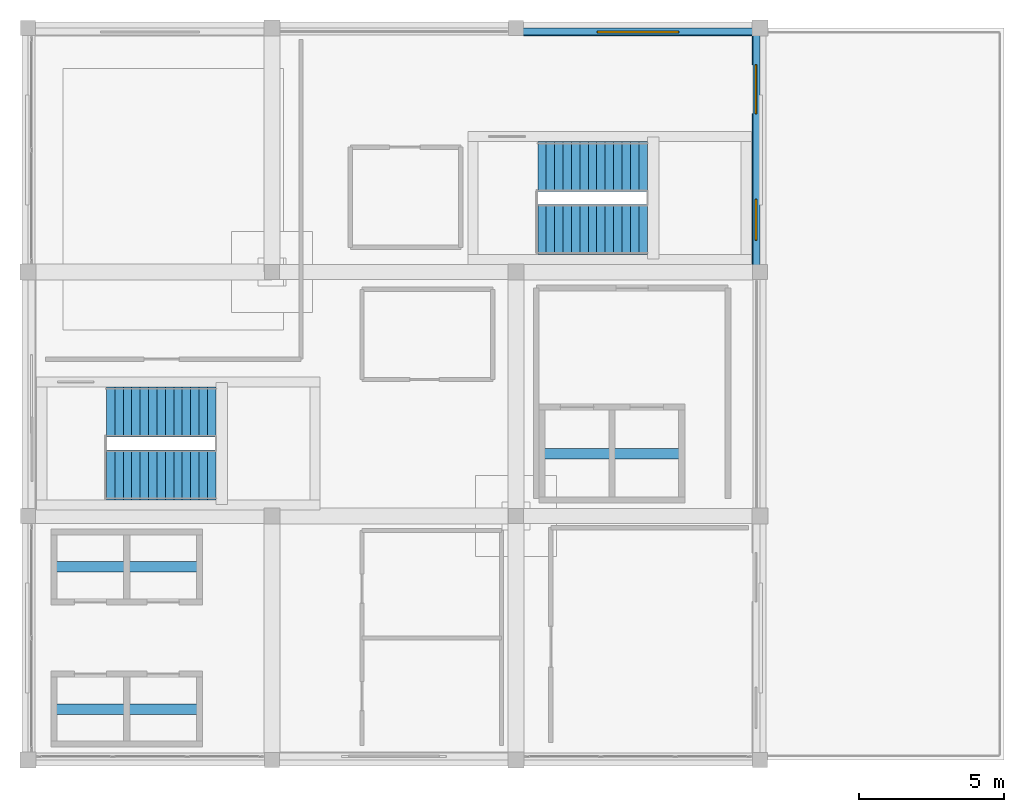
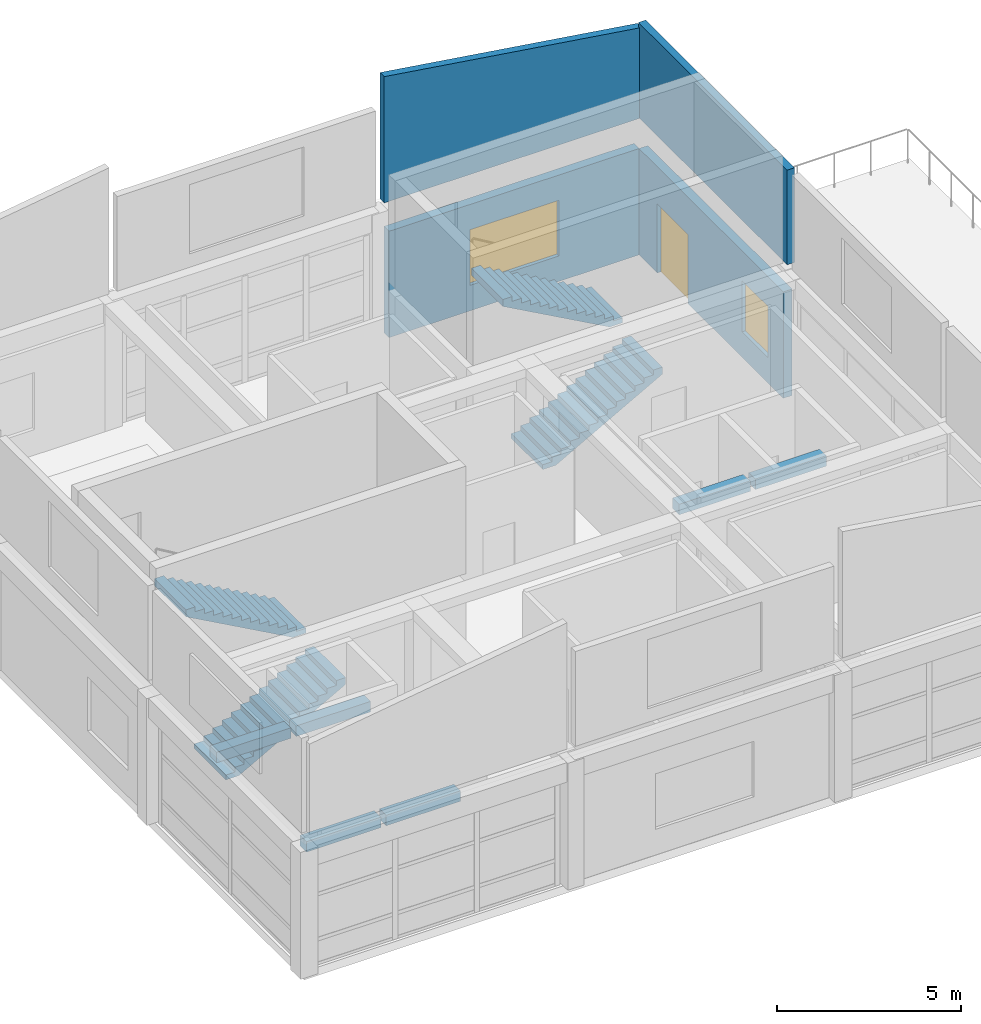
# One storey, part 16 of 17: 6 discrete accessories, 4 stair flights, 4 walls, 2 windows, 1 door, 3 openings, 2 elements without a shape of their own.
"""IFC4 building model written with IfcOpenShell, lengths in metres."""

from ifc_helpers import new_model, si_unit, direction, frame, frame_2d, origin, origin_2d, place, context, subcontext, project, spatial, polyline, rectangle, outline, extrude, material, layer, layer_set, type_object, element, fill, aggregate, save


model = new_model("IFC4")

# Units and contexts
model_context = context("Model", 3, precision=1e-05, world=origin(), true_north=direction((0.0, 1.0)))
body_context = subcontext(model_context, "Body", "Model", "MODEL_VIEW")
ifc_project = project(units=[si_unit("LENGTHUNIT", "METRE"), si_unit("AREAUNIT", "SQUARE_METRE"), si_unit("VOLUMEUNIT", "CUBIC_METRE"), si_unit("PLANEANGLEUNIT", "RADIAN"), si_unit("MASSUNIT", "GRAM", prefix="KILO")], contexts=[model_context])

# Site, building, storey
site_placement = place(None, origin())
site = spatial("IfcSite", under=ifc_project, at=site_placement, CompositionType="ELEMENT")
building_placement = place(site_placement, origin())
building = spatial("IfcBuilding", under=site, at=building_placement, Name="Almacenes y Pasaje Nevantli", CompositionType="ELEMENT")
storey_placement = place(building_placement, frame((0.0, 0.0, 66.699951171875)))
storey = spatial("IfcBuildingStorey", under=building, at=storey_placement, Name="L16", CompositionType="ELEMENT", Elevation=66.699951171875)

# Wall, opening, window
ifc_material_1 = material(Name="Architectural Precast Concrete C35/45 Spandrel Wall", Category="concrete")
ifc_layer_1 = layer(ifc_material_1, 0.280029296875)
ifc_layer_set_1 = layer_set([ifc_layer_1], Name="Architectural Precast Concrete C35/45 Spandrel Wall")
wall_type_1 = type_object("IfcWallType", Name="WL-EXT-CANTERA-280", PredefinedType="SOLIDWALL", material=ifc_layer_set_1)
wall_1_placement = place(storey_placement, frame((134.654052734375, 92.260009765625, 0.0), z_axis=(0.0, 0.0, 1.0), x_axis=(1.0, 0.0, 0.0)))
wall_1 = element("IfcWall", 1, at=wall_1_placement, inside=storey, type_object=wall_type_1, Name="L16 Tower North Polychrome Cantera Wall Bay 17", PredefinedType="SOLIDWALL", context=body_context, shape_type="SweptSolid", body=[
    extrude(rectangle(XDim=7.867919921875, YDim=0.280029296875, at=frame_2d((3.93408203125, 0.0))), origin(), (0.0, 0.0, 1.0), 3.5400390625),
])
opening_1_placement = place(wall_1_placement, frame((2.5458984375, 0.0, 0.85009765625)))
opening_1 = element("IfcOpeningElement", 2, at=opening_1_placement, cuts=wall_1, Name="Opening WT-29-284", PredefinedType="OPENING", context=body_context, shape_type="SweptSolid", body=[
    extrude(rectangle(XDim=2.800048828125, YDim=1.85009765625, at=frame_2d((1.39990234375, 0.925048828125))), frame((0.0, 0.14990234375, 0.0), z_axis=(0.0, -1.0, 0.0), x_axis=(1.0, 0.0, 0.0)), (0.0, 0.0, 1.0), 0.300048828125),
])
ifc_material_2 = material(Name="Thermally Broken Aluminium and Low-E Double Glazing", Category="aluminium")
window_type_1 = type_object("IfcWindowType", Name="WN-TWR-2800x1850", PartitioningType="SINGLE_PANEL", PredefinedType="WINDOW", material=ifc_material_2)
window_1_placement = place(opening_1_placement, origin())
window_1 = element("IfcWindow", 3, at=window_1_placement, inside=storey, type_object=window_type_1, Name="L16 Exterior Window WT-29 #284", OverallHeight=1.85009765625, OverallWidth=2.800048828125, PartitioningType="SINGLE_PANEL", PredefinedType="WINDOW", context=body_context, shape_type="SweptSolid", body=[
    extrude(rectangle(XDim=2.800048828125, YDim=1.85009765625, at=frame_2d((1.39990234375, 0.925048828125))), frame((0.0, 0.030029296875, 0.0), z_axis=(0.0, -1.0, 0.0), x_axis=(1.0, 0.0, 0.0)), (0.0, 0.0, 1.0), 0.06005859375),
])
fill(opening_1, window_1)

# Wall, openings, door, window
wall_2_placement = place(storey_placement, frame((142.659912109375, 84.25390625, 0.0), z_axis=(0.0, 0.0, 1.0), x_axis=(0.0, 1.0, 0.0)))
wall_2 = element("IfcWall", 4, at=wall_2_placement, inside=storey, type_object=wall_type_1, Name="L16 Penthouse East Belvedere Terrace Wall Bay 11", PredefinedType="SOLIDWALL", context=body_context, shape_type="SweptSolid", body=[
    extrude(rectangle(XDim=7.8681640625, YDim=0.280029296875, at=frame_2d((3.93408203125, 0.0))), origin(), (0.0, 0.0, 1.0), 3.5400390625),
])
opening_2_placement = place(wall_2_placement, frame((0.845947265625, 0.0, 0.85009765625)))
opening_2 = element("IfcOpeningElement", 5, at=opening_2_placement, cuts=wall_2, Name="Opening WT-34-287", PredefinedType="OPENING", context=body_context, shape_type="SweptSolid", body=[
    extrude(rectangle(XDim=1.39990234375, YDim=1.699951171875, at=frame_2d((0.699951171875, 0.85009765625))), frame((0.0, 0.14990234375, 0.0), z_axis=(0.0, -1.0, 0.0), x_axis=(1.0, 0.0, 0.0)), (0.0, 0.0, 1.0), 0.300048828125),
])
opening_3_placement = place(wall_2_placement, frame((5.196044921875, 0.0, 0.0)))
opening_3 = element("IfcOpeningElement", 6, at=opening_3_placement, cuts=wall_2, Name="Opening ED-L16-044", PredefinedType="OPENING", context=body_context, shape_type="SweptSolid", body=[
    extrude(rectangle(XDim=1.679931640625, YDim=2.300048828125, at=frame_2d((0.83984375, 1.14990234375))), frame((0.0, 0.14990234375, 0.0), z_axis=(0.0, -1.0, 0.0), x_axis=(1.0, 0.0, 0.0)), (0.0, 0.0, 1.0), 0.300048828125),
])
ifc_material_3 = material(Name="Anodized Aluminium and Safety Glass", Category="aluminium")
door_type = type_object("IfcDoorType", Name="DR-EXT-TER-1680", OperationType="DOUBLE_DOOR_SINGLE_SWING", PredefinedType="DOOR", material=ifc_material_3)
door_placement = place(opening_3_placement, origin())
door = element("IfcDoor", 7, at=door_placement, inside=storey, type_object=door_type, Name="L16 Penthouse to Belvedere Terrace Door #3", OperationType="DOUBLE_DOOR_SINGLE_SWING", OverallHeight=2.300048828125, OverallWidth=1.679931640625, PredefinedType="DOOR", context=body_context, shape_type="SweptSolid", body=[
    extrude(rectangle(XDim=1.679931640625, YDim=2.300048828125, at=frame_2d((0.83984375, 1.14990234375))), frame((0.0, 0.02490234375, 0.0), z_axis=(0.0, -1.0, 0.0), x_axis=(1.0, 0.0, 0.0)), (0.0, 0.0, 1.0), 0.050048828125),
])
fill(opening_3, door)
ifc_material_4 = material(Name="Thermally Broken Aluminium and Low-E Double Glazing", Category="aluminium")
window_type_2 = type_object("IfcWindowType", Name="WN-TWR-1400x1700", PartitioningType="SINGLE_PANEL", PredefinedType="WINDOW", material=ifc_material_4)
window_2_placement = place(opening_2_placement, origin())
window_2 = element("IfcWindow", 8, at=window_2_placement, inside=storey, type_object=window_type_2, Name="L16 Exterior Window WT-34 #287", OverallHeight=1.699951171875, OverallWidth=1.39990234375, PartitioningType="SINGLE_PANEL", PredefinedType="WINDOW", context=body_context, shape_type="SweptSolid", body=[
    extrude(rectangle(XDim=1.39990234375, YDim=1.699951171875, at=frame_2d((0.699951171875, 0.85009765625))), frame((0.0, 0.030029296875, 0.0), z_axis=(0.0, -1.0, 0.0), x_axis=(1.0, 0.0, 0.0)), (0.0, 0.0, 1.0), 0.06005859375),
])
fill(opening_2, window_2)

# Walls
ifc_material_5 = material(Name="Architectural Precast Concrete C35/45 Crown Wall", Category="concrete")
ifc_layer_2 = layer(ifc_material_5, 0.22998046875)
ifc_layer_set_2 = layer_set([ifc_layer_2], Name="Architectural Precast Concrete C35/45 Crown Wall")
wall_type_2 = type_object("IfcWallType", Name="WL-EXT-CROWN-230", PredefinedType="SOLIDWALL", material=ifc_layer_set_2)
wall_3_placement = place(storey_placement, frame((134.530029296875, 92.280029296875, 4.5), z_axis=(0.0, 0.0, 1.0), x_axis=(1.0, 0.0, 0.0)))
element("IfcWall", 9, at=wall_3_placement, inside=storey, type_object=wall_type_2, Name="L16 Broken-Pediment Crown North East Wing Wall", PredefinedType="SOLIDWALL", context=body_context, shape_type="SweptSolid", body=[
    extrude(outline(polyline([(0.0, 0.0), (8.10400390625, 0.0), (8.10400390625, 3.0), (4.052001953125, 3.60009765625), (0.0, 4.199951171875), (0.0, 0.0)])), frame((0.0, 0.114990234375, 0.0), z_axis=(0.0, -1.0, 0.0), x_axis=(1.0, 0.0, 0.0)), (0.0, 0.0, 1.0), 0.22998046875),
])
wall_4_placement = place(storey_placement, frame((142.679931640625, 84.1298828125, 4.5), z_axis=(0.0, 0.0, 1.0), x_axis=(0.0, 1.0, 0.0)))
element("IfcWall", 10, at=wall_4_placement, inside=storey, type_object=wall_type_2, Name="L16 Crown East Enclosure Wall Bay 3", PredefinedType="SOLIDWALL", context=body_context, shape_type="SweptSolid", body=[
    extrude(rectangle(XDim=8.10400390625, YDim=0.22998046875, at=frame_2d((4.052001953125, 0.0))), origin(), (0.0, 0.0, 1.0), 3.150146484375),
])

# Stair, stair flights
ifc_material_6 = material(Name="Concrete C35/45", Category="concrete")
stair_type = type_object("IfcStairType", Name="STR-CORE-1720", PredefinedType="HALF_TURN_STAIR", material=ifc_material_6)
stair_1_placement = place(storey_placement, origin())
stair_1 = element("IfcStair", 11, at=stair_1_placement, inside=storey, type_object=stair_type, Name="L16 Staircase ST-01", PredefinedType="HALF_TURN_STAIR")
ifc_material_7 = material(Name="Concrete C35/45", Category="concrete")
ifc_layer_3 = layer(ifc_material_7, 0.199951171875)
ifc_layer_set_3 = layer_set([ifc_layer_3], Name="Concrete C35/45")
stair_flight_type = type_object("IfcStairFlightType", Name="SFL-RC-200", PredefinedType="STRAIGHT", material=ifc_layer_set_3)
stair_flight_1_placement = place(storey_placement, frame((120.300048828125, 77.010009765625, 0.0), z_axis=(0.0, 0.0, 1.0), x_axis=(1.0, 0.0, 0.0)))
stair_flight_1 = element("IfcStairFlight", 12, at=stair_flight_1_placement, type_object=stair_flight_type, Name="ST-01-L16 flight 1", NumberOfRisers=14, NumberOfTreads=13, PredefinedType="STRAIGHT", RiserHeight=0.160714, TreadLength=0.29, context=body_context, shape_type="SweptSolid", body=[
    extrude(outline(polyline([(0.0, 0.0), (0.0, 0.16064453125), (0.2900390625, 0.16064453125), (0.2900390625, 0.321533203125), (0.580078125, 0.321533203125), (0.580078125, 0.482177734375), (0.8701171875, 0.482177734375), (0.8701171875, 0.642822265625), (1.159912109375, 0.642822265625), (1.159912109375, 0.803466796875), (1.449951171875, 0.803466796875), (1.449951171875, 0.96435546875), (1.739990234375, 0.96435546875), (1.739990234375, 1.125), (2.030029296875, 1.125), (2.030029296875, 1.28564453125), (2.320068359375, 1.28564453125), (2.320068359375, 1.446533203125), (2.610107421875, 1.446533203125), (2.610107421875, 1.607177734375), (2.89990234375, 1.607177734375), (2.89990234375, 1.767822265625), (3.18994140625, 1.767822265625), (3.18994140625, 1.928466796875), (3.47998046875, 1.928466796875), (3.47998046875, 2.08935546875), (3.77001953125, 2.08935546875), (3.77001953125, 2.25), (3.77001953125, 1.860595703125), (0.41259765625, 0.0), (0.0, 0.0)])), frame((0.0, 0.85986328125, 0.0), z_axis=(0.0, -1.0, 0.0), x_axis=(1.0, 0.0, 0.0)), (0.0, 0.0, 1.0), 1.719970703125),
])
stair_flight_2_placement = place(storey_placement, frame((124.070068359375, 79.179931640625, 2.25), z_axis=(0.0, 0.0, 1.0), x_axis=(-1.0, 0.0, 0.0)))
stair_flight_2 = element("IfcStairFlight", 13, at=stair_flight_2_placement, type_object=stair_flight_type, Name="ST-01-L16 flight 2", NumberOfRisers=14, NumberOfTreads=13, PredefinedType="STRAIGHT", RiserHeight=0.160714, TreadLength=0.29, context=body_context, shape_type="SweptSolid", body=[
    extrude(outline(polyline([(0.0, 0.0), (0.0, 0.16064453125), (0.2900390625, 0.16064453125), (0.2900390625, 0.321533203125), (0.580078125, 0.321533203125), (0.580078125, 0.482177734375), (0.8701171875, 0.482177734375), (0.8701171875, 0.642822265625), (1.159912109375, 0.642822265625), (1.159912109375, 0.803466796875), (1.449951171875, 0.803466796875), (1.449951171875, 0.96435546875), (1.739990234375, 0.96435546875), (1.739990234375, 1.125), (2.030029296875, 1.125), (2.030029296875, 1.28564453125), (2.320068359375, 1.28564453125), (2.320068359375, 1.446533203125), (2.610107421875, 1.446533203125), (2.610107421875, 1.607177734375), (2.89990234375, 1.607177734375), (2.89990234375, 1.767822265625), (3.18994140625, 1.767822265625), (3.18994140625, 1.928466796875), (3.47998046875, 1.928466796875), (3.47998046875, 2.08935546875), (3.77001953125, 2.08935546875), (3.77001953125, 2.25), (3.77001953125, 1.860595703125), (0.41259765625, 0.0), (0.0, 0.0)])), frame((0.0, 0.85986328125, 0.0), z_axis=(0.0, -1.0, 0.0), x_axis=(1.0, 0.0, 0.0)), (0.0, 0.0, 1.0), 1.719970703125),
])
aggregate(stair_1, [stair_flight_1, stair_flight_2])

stair_2_placement = place(storey_placement, origin())
stair_2 = element("IfcStair", 14, at=stair_2_placement, inside=storey, type_object=stair_type, Name="L16 Staircase ST-02", PredefinedType="HALF_TURN_STAIR")
stair_flight_3_placement = place(storey_placement, frame((135.14990234375, 85.4599609375, 0.0), z_axis=(0.0, 0.0, 1.0), x_axis=(1.0, 0.0, 0.0)))
stair_flight_3 = element("IfcStairFlight", 15, at=stair_flight_3_placement, type_object=stair_flight_type, Name="ST-02-L16 flight 1", NumberOfRisers=14, NumberOfTreads=13, PredefinedType="STRAIGHT", RiserHeight=0.160714, TreadLength=0.29, context=body_context, shape_type="SweptSolid", body=[
    extrude(outline(polyline([(0.0, 0.0), (0.0, 0.16064453125), (0.2900390625, 0.16064453125), (0.2900390625, 0.321533203125), (0.580078125, 0.321533203125), (0.580078125, 0.482177734375), (0.8701171875, 0.482177734375), (0.8701171875, 0.642822265625), (1.159912109375, 0.642822265625), (1.159912109375, 0.803466796875), (1.449951171875, 0.803466796875), (1.449951171875, 0.96435546875), (1.739990234375, 0.96435546875), (1.739990234375, 1.125), (2.030029296875, 1.125), (2.030029296875, 1.28564453125), (2.320068359375, 1.28564453125), (2.320068359375, 1.446533203125), (2.610107421875, 1.446533203125), (2.610107421875, 1.607177734375), (2.89990234375, 1.607177734375), (2.89990234375, 1.767822265625), (3.18994140625, 1.767822265625), (3.18994140625, 1.928466796875), (3.47998046875, 1.928466796875), (3.47998046875, 2.08935546875), (3.77001953125, 2.08935546875), (3.77001953125, 2.25), (3.77001953125, 1.860595703125), (0.41259765625, 0.0), (0.0, 0.0)])), frame((0.0, 0.85986328125, 0.0), z_axis=(0.0, -1.0, 0.0), x_axis=(1.0, 0.0, 0.0)), (0.0, 0.0, 1.0), 1.719970703125),
])
stair_flight_4_placement = place(storey_placement, frame((138.919921875, 87.6298828125, 2.25), z_axis=(0.0, 0.0, 1.0), x_axis=(-1.0, 0.0, 0.0)))
stair_flight_4 = element("IfcStairFlight", 16, at=stair_flight_4_placement, type_object=stair_flight_type, Name="ST-02-L16 flight 2", NumberOfRisers=14, NumberOfTreads=13, PredefinedType="STRAIGHT", RiserHeight=0.160714, TreadLength=0.29, context=body_context, shape_type="SweptSolid", body=[
    extrude(outline(polyline([(0.0, 0.0), (0.0, 0.16064453125), (0.2900390625, 0.16064453125), (0.2900390625, 0.321533203125), (0.580078125, 0.321533203125), (0.580078125, 0.482177734375), (0.8701171875, 0.482177734375), (0.8701171875, 0.642822265625), (1.159912109375, 0.642822265625), (1.159912109375, 0.803466796875), (1.449951171875, 0.803466796875), (1.449951171875, 0.96435546875), (1.739990234375, 0.96435546875), (1.739990234375, 1.125), (2.030029296875, 1.125), (2.030029296875, 1.28564453125), (2.320068359375, 1.28564453125), (2.320068359375, 1.446533203125), (2.610107421875, 1.446533203125), (2.610107421875, 1.607177734375), (2.89990234375, 1.607177734375), (2.89990234375, 1.767822265625), (3.18994140625, 1.767822265625), (3.18994140625, 1.928466796875), (3.47998046875, 1.928466796875), (3.47998046875, 2.08935546875), (3.77001953125, 2.08935546875), (3.77001953125, 2.25), (3.77001953125, 1.860595703125), (0.41259765625, 0.0), (0.0, 0.0)])), frame((0.0, 0.85986328125, 0.0), z_axis=(0.0, -1.0, 0.0), x_axis=(1.0, 0.0, 0.0)), (0.0, 0.0, 1.0), 1.719970703125),
])
aggregate(stair_2, [stair_flight_3, stair_flight_4])

# Discrete accessories
ifc_material_8 = material(Name="Steel ASTM A36", Category="steel")
ifc_layer_4 = layer(ifc_material_8, 0.35009765625)
ifc_layer_set_4 = layer_set([ifc_layer_4], Name="Steel ASTM A36")
discrete_accessory_type = type_object("IfcDiscreteAccessoryType", Name="ACC-LIFT-MACH", PredefinedType="USERDEFINED", material=ifc_layer_set_4)
for number, where, z_axis, x_axis, name in (
    (17, (119.75, 68.949951171875, 2.675048828125), (0.0, 0.0, 1.0), (1.0, 0.0, 0.0), "Elevator Traction Sheave Machine ELV-P05"),
    (18, (122.25, 68.949951171875, 2.675048828125), (0.0, 0.0, 1.0), (1.0, 0.0, 0.0), "Elevator Traction Sheave Machine ELV-P06"),
    (19, (119.75, 73.85009765625, 2.675048828125), (0.0, 0.0, 1.0), (1.0, 0.0, 0.0), "Elevator Traction Sheave Machine ELV-P07"),
    (20, (122.25, 73.85009765625, 2.675048828125), (0.0, 0.0, 1.0), (1.0, 0.0, 0.0), "Elevator Traction Sheave Machine ELV-P08"),
):
    element("IfcDiscreteAccessory", number, at=place(storey_placement, frame(where, z_axis=z_axis, x_axis=x_axis)), inside=storey, type_object=discrete_accessory_type, Name=name, ObjectType="TRACTION MACHINE", PredefinedType="USERDEFINED", context=body_context, shape_type="SweptSolid", body=[
        extrude(rectangle(XDim=2.340087890625, YDim=0.360107421875, at=origin_2d()), origin(), (0.0, 0.0, 1.0), 0.35009765625),
    ])
for number, where, z_axis, x_axis, name in (
    (21, (136.5, 77.75, 2.675048828125), (0.0, 0.0, 1.0), (1.0, 0.0, 0.0), "Elevator Traction Sheave Machine ELV-FF1"),
    (22, (138.89990234375, 77.75, 2.675048828125), (0.0, 0.0, 1.0), (1.0, 0.0, 0.0), "Elevator Traction Sheave Machine ELV-FF2"),
):
    element("IfcDiscreteAccessory", number, at=place(storey_placement, frame(where, z_axis=z_axis, x_axis=x_axis)), inside=storey, type_object=discrete_accessory_type, Name=name, ObjectType="TRACTION MACHINE", PredefinedType="USERDEFINED", context=body_context, shape_type="SweptSolid", body=[
        extrude(rectangle(XDim=2.239990234375, YDim=0.360107421875, at=origin_2d()), origin(), (0.0, 0.0, 1.0), 0.35009765625),
    ])

save(model, "model.ifc")
